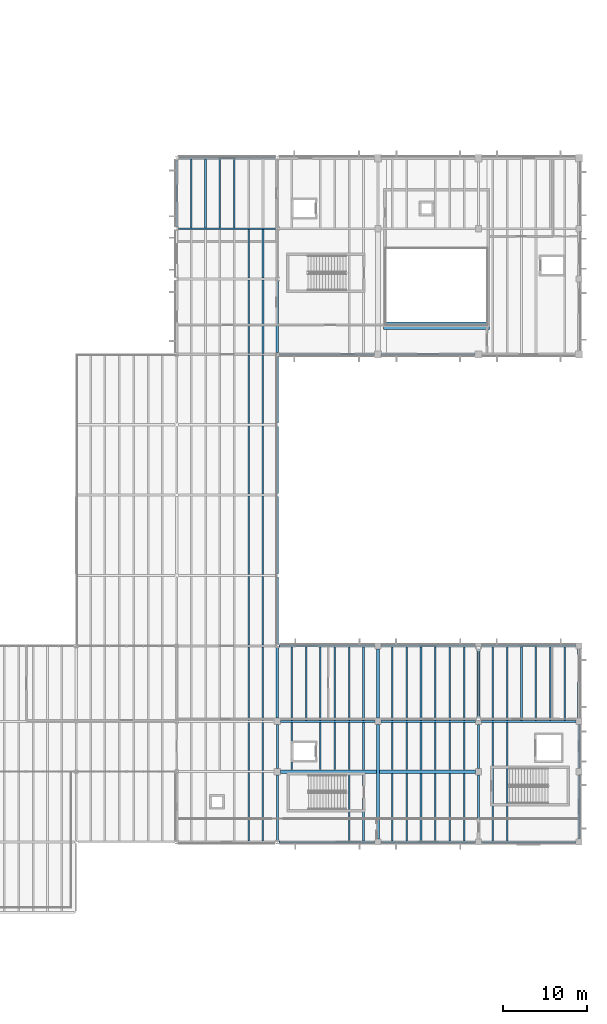
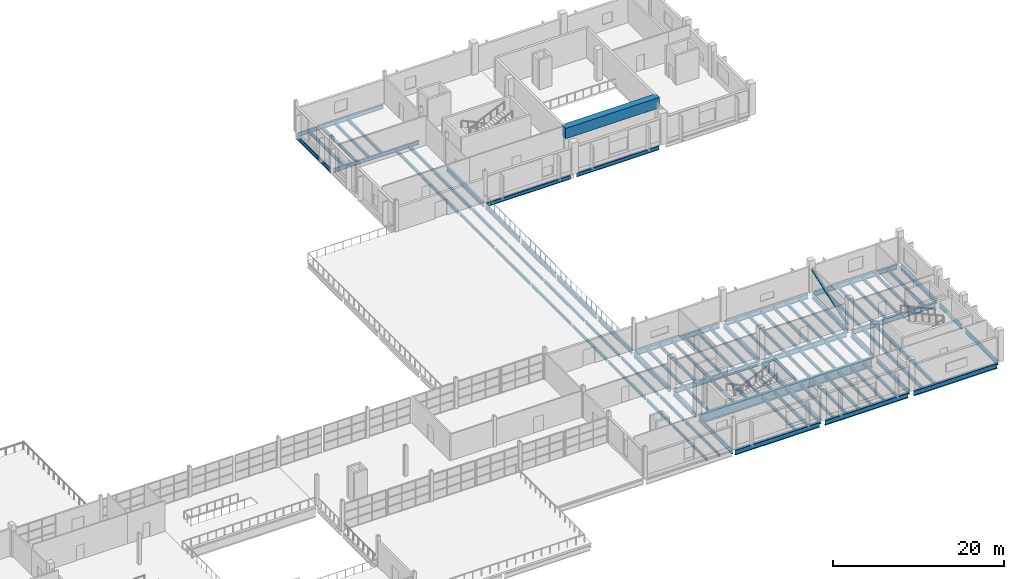
# One storey, part 45 of 78: 93 beams, 1 member.
"""IFC4 building model written with IfcOpenShell, lengths in metres."""

from ifc_helpers import new_model, si_unit, direction, frame, origin, origin_2d, place, context, subcontext, project, spatial, rectangle, hollow_circle, i_section, extrude, material, material_profile, profile_set, type_object, element, save


model = new_model("IFC4")

# Units and contexts
model_context = context("Model", 3, precision=1e-05, world=origin(), true_north=direction((0.0, 1.0)))
body_context = subcontext(model_context, "Body", "Model", "MODEL_VIEW")
ifc_project = project(units=[si_unit("LENGTHUNIT", "METRE"), si_unit("AREAUNIT", "SQUARE_METRE"), si_unit("VOLUMEUNIT", "CUBIC_METRE"), si_unit("PLANEANGLEUNIT", "RADIAN"), si_unit("MASSUNIT", "GRAM", prefix="KILO")], contexts=[model_context])

# Site, building, storey
site_placement = place(None, origin())
site = spatial("IfcSite", under=ifc_project, at=site_placement, CompositionType="ELEMENT")
building_placement = place(site_placement, origin())
building = spatial("IfcBuilding", under=site, at=building_placement, Name="Kelmvaro Bay Concert Hall", CompositionType="ELEMENT")
storey_placement = place(building_placement, frame((0.0, 0.0, 9.300048828125)))
storey = spatial("IfcBuildingStorey", under=building, at=storey_placement, Name="L02", CompositionType="ELEMENT", Elevation=9.300048828125)

# Beams
ifc_material_1 = material(Name="Concrete C40/50", Category="concrete")
ifc_material_profile_1 = material_profile(ifc_material_1, rectangle(XDim=0.89990234375, YDim=1.5, at=origin_2d()), Name="RC-TRG-900X1500")
ifc_profile_set_1 = profile_set([ifc_material_profile_1], Name="Concrete C40/50")
beam_type_1 = type_object("IfcBeamType", Name="Acoustic Isolation Ring Girder RC900x1500", PredefinedType="BEAM", material=ifc_profile_set_1)
beam_1_placement = place(storey_placement, frame((144.6650390625, 77.219970703125, 3.4599609375), z_axis=(1.0, 0.0, 0.0), x_axis=(0.0, 1.0, 0.0)))
element("IfcBeam", 1, at=beam_1_placement, inside=storey, type_object=beam_type_1, Name="V2 Acoustic Isolation Ring Girder S", PredefinedType="BEAM", context=body_context, shape_type="SweptSolid", body=[
    extrude(rectangle(XDim=0.89990234375, YDim=1.5, at=origin_2d()), origin(), (0.0, 0.0, 1.0), 12.669921875),
])
ifc_material_2 = material(Name="Steel ASTM A992 Grade 50", Category="steel")
ifc_material_profile_2 = material_profile(ifc_material_2, i_section(OverallWidth=0.2099609375, OverallDepth=0.535888671875, WebThickness=0.010986328125, FlangeThickness=0.017333984375, at=origin_2d()), Name="W21X68")
ifc_profile_set_2 = profile_set([ifc_material_profile_2], Name="Steel ASTM A992 Grade 50")
beam_type_2 = type_object("IfcBeamType", Name="Crystal Roof Tie Girder W21x68", PredefinedType="BEAM", material=ifc_profile_set_2)
beam_2_placement = place(storey_placement, frame((132.200439453125, 73.800048828125, -0.528076171875), z_axis=(1.0, 0.0, 0.0), x_axis=(0.0, 1.0, 0.0)))
element("IfcBeam", 2, at=beam_2_placement, inside=storey, type_object=beam_type_2, Name="L02 Girder BM-L02-EW-0766", PredefinedType="BEAM", context=body_context, shape_type="SweptSolid", body=[
    extrude(i_section(OverallWidth=0.2099609375, OverallDepth=0.535888671875, WebThickness=0.010986328125, FlangeThickness=0.017333984375, at=origin_2d()), origin(), (0.0, 0.0, 1.0), 11.37451171875),
])
beam_3_placement = place(storey_placement, frame((144.425048828125, 73.800048828125, -0.528076171875), z_axis=(1.0, 0.0, 0.0), x_axis=(0.0, 1.0, 0.0)))
element("IfcBeam", 3, at=beam_3_placement, inside=storey, type_object=beam_type_2, Name="L02 Girder BM-L02-EW-0767", PredefinedType="BEAM", context=body_context, shape_type="SweptSolid", body=[
    extrude(i_section(OverallWidth=0.2099609375, OverallDepth=0.535888671875, WebThickness=0.010986328125, FlangeThickness=0.017333984375, at=origin_2d()), origin(), (0.0, 0.0, 1.0), 11.14990234375),
])
for number, where, z_axis, x_axis, name in (
    (4, (120.200439453125, 88.800048828125, -0.528076171875), (1.0, 0.0, 0.0), (0.0, 1.0, 0.0), "L02 Girder BM-L02-EW-0772"),
    (5, (120.200439453125, 97.199951171875, -0.528076171875), (1.0, 0.0, 0.0), (0.0, 1.0, 0.0), "L02 Girder BM-L02-EW-0778"),
):
    element("IfcBeam", number, at=place(storey_placement, frame(where, z_axis=z_axis, x_axis=x_axis)), inside=storey, type_object=beam_type_2, Name=name, PredefinedType="BEAM", context=body_context, shape_type="SweptSolid", body=[
        extrude(i_section(OverallWidth=0.2099609375, OverallDepth=0.535888671875, WebThickness=0.010986328125, FlangeThickness=0.017333984375, at=origin_2d()), origin(), (0.0, 0.0, 1.0), 11.59912109375),
    ])
ifc_material_3 = material(Name="Steel ASTM A992 Grade 50", Category="steel")
ifc_material_profile_3 = material_profile(ifc_material_3, i_section(OverallWidth=0.323974609375, OverallDepth=0.611083984375, WebThickness=0.0126953125, FlangeThickness=0.01904296875, at=origin_2d()), Name="W24X104")
ifc_profile_set_3 = profile_set([ifc_material_profile_3], Name="Steel ASTM A992 Grade 50")
beam_type_3 = type_object("IfcBeamType", Name="Foyer Frame Girder W24x104", PredefinedType="BEAM", material=ifc_profile_set_3)
beam_4_placement = place(storey_placement, frame((132.0, 30.375, -0.58544921875), z_axis=(0.0, 1.0, 0.0), x_axis=(-1.0, 0.0, 0.0)))
element("IfcBeam", 6, at=beam_4_placement, inside=storey, type_object=beam_type_3, Name="L02 Girder BM-L02-NS-0869", PredefinedType="BEAM", context=body_context, shape_type="SweptSolid", body=[
    extrude(i_section(OverallWidth=0.323974609375, OverallDepth=0.611083984375, WebThickness=0.0126953125, FlangeThickness=0.01904296875, at=origin_2d()), origin(), (0.0, 0.0, 1.0), 8.425537109375),
])
beam_5_placement = place(storey_placement, frame((132.0, 47.590576171875, -0.545654296875), z_axis=(0.0, 1.0, 0.0), x_axis=(-1.0, 0.0, 0.0)))
element("IfcBeam", 7, at=beam_5_placement, inside=storey, type_object=beam_type_3, Name="L02 Girder BM-L02-NS-0871", PredefinedType="BEAM", context=body_context, shape_type="SweptSolid", body=[
    extrude(i_section(OverallWidth=0.323974609375, OverallDepth=0.611083984375, WebThickness=0.0126953125, FlangeThickness=0.01904296875, at=origin_2d()), origin(), (0.0, 0.0, 1.0), 9.218994140625),
])
beam_6_placement = place(storey_placement, frame((132.0, 73.99951171875, -0.5654296875), z_axis=(0.0, 1.0, 0.0), x_axis=(-1.0, 0.0, 0.0)))
element("IfcBeam", 8, at=beam_6_placement, inside=storey, type_object=beam_type_3, Name="L02 Girder BM-L02-NS-0874", PredefinedType="BEAM", context=body_context, shape_type="SweptSolid", body=[
    extrude(i_section(OverallWidth=0.323974609375, OverallDepth=0.611083984375, WebThickness=0.0126953125, FlangeThickness=0.01904296875, at=origin_2d()), origin(), (0.0, 0.0, 1.0), 8.603515625),
])
beam_7_placement = place(storey_placement, frame((144.0, 15.97509765625, -0.58544921875), z_axis=(0.0, 1.0, 0.0), x_axis=(-1.0, 0.0, 0.0)))
element("IfcBeam", 9, at=beam_7_placement, inside=storey, type_object=beam_type_3, Name="L02 Girder BM-L02-NS-0877", PredefinedType="BEAM", context=body_context, shape_type="SweptSolid", body=[
    extrude(i_section(OverallWidth=0.323974609375, OverallDepth=0.611083984375, WebThickness=0.0126953125, FlangeThickness=0.01904296875, at=origin_2d()), origin(), (0.0, 0.0, 1.0), 13.64990234375),
])
for number, where, z_axis, x_axis, name in (
    (10, (144.0, 30.375, -0.58544921875), (0.0, 1.0, 0.0), (-1.0, 0.0, 0.0), "L02 Girder BM-L02-NS-0878"),
    (11, (156.0, 30.375, -0.58544921875), (0.0, 1.0, 0.0), (-1.0, 0.0, 0.0), "L02 Girder BM-L02-NS-0883"),
    (12, (168.0, 30.375, -0.58544921875), (0.0, 1.0, 0.0), (-1.0, 0.0, 0.0), "L02 Girder BM-L02-NS-0887"),
):
    element("IfcBeam", number, at=place(storey_placement, frame(where, z_axis=z_axis, x_axis=x_axis)), inside=storey, type_object=beam_type_3, Name=name, PredefinedType="BEAM", context=body_context, shape_type="SweptSolid", body=[
        extrude(i_section(OverallWidth=0.323974609375, OverallDepth=0.611083984375, WebThickness=0.0126953125, FlangeThickness=0.01904296875, at=origin_2d()), origin(), (0.0, 0.0, 1.0), 8.25),
    ])
ifc_material_4 = material(Name="Steel ASTM A992 Grade 50", Category="steel")
ifc_material_profile_4 = material_profile(ifc_material_4, i_section(OverallWidth=0.256103515625, OverallDepth=0.693115234375, WebThickness=0.014404296875, FlangeThickness=0.023681640625, at=origin_2d()), Name="W27X114")
ifc_profile_set_4 = profile_set([ifc_material_profile_4], Name="Steel ASTM A992 Grade 50")
beam_type_4 = type_object("IfcBeamType", Name="Foyer Primary Girder W27x114", PredefinedType="BEAM", material=ifc_profile_set_4)
beam_8_placement = place(storey_placement, frame((132.200439453125, 15.60009765625, -0.62646484375), z_axis=(1.0, 0.0, 0.0), x_axis=(0.0, 1.0, 0.0)))
element("IfcBeam", 13, at=beam_8_placement, inside=storey, type_object=beam_type_4, Name="L02 Girder BM-L02-EW-0701", PredefinedType="BEAM", context=body_context, shape_type="SweptSolid", body=[
    extrude(i_section(OverallWidth=0.256103515625, OverallDepth=0.693115234375, WebThickness=0.014404296875, FlangeThickness=0.023681640625, at=origin_2d()), origin(), (0.0, 0.0, 1.0), 11.424560546875),
])
for number, where, z_axis, x_axis, name in (
    (14, (144.375, 15.60009765625, -0.62646484375), (1.0, 0.0, 0.0), (0.0, 1.0, 0.0), "L02 Girder BM-L02-EW-0702"),
    (15, (156.375, 15.60009765625, -0.62646484375), (1.0, 0.0, 0.0), (0.0, 1.0, 0.0), "L02 Girder BM-L02-EW-0703"),
    (16, (132.375, 30.0, -0.62646484375), (1.0, 0.0, 0.0), (0.0, 1.0, 0.0), "L02 Girder BM-L02-EW-0718"),
    (17, (144.375, 30.0, -0.62646484375), (1.0, 0.0, 0.0), (0.0, 1.0, 0.0), "L02 Girder BM-L02-EW-0719"),
    (18, (156.375, 30.0, -0.62646484375), (1.0, 0.0, 0.0), (0.0, 1.0, 0.0), "L02 Girder BM-L02-EW-0720"),
):
    element("IfcBeam", number, at=place(storey_placement, frame(where, z_axis=z_axis, x_axis=x_axis)), inside=storey, type_object=beam_type_4, Name=name, PredefinedType="BEAM", context=body_context, shape_type="SweptSolid", body=[
        extrude(i_section(OverallWidth=0.256103515625, OverallDepth=0.693115234375, WebThickness=0.014404296875, FlangeThickness=0.023681640625, at=origin_2d()), origin(), (0.0, 0.0, 1.0), 11.25),
    ])
beam_9_placement = place(storey_placement, frame((132.200439453125, 39.0, -0.62646484375), z_axis=(1.0, 0.0, 0.0), x_axis=(0.0, 1.0, 0.0)))
element("IfcBeam", 19, at=beam_9_placement, inside=storey, type_object=beam_type_4, Name="L02 Girder BM-L02-EW-0732", PredefinedType="BEAM", context=body_context, shape_type="SweptSolid", body=[
    extrude(i_section(OverallWidth=0.256103515625, OverallDepth=0.693115234375, WebThickness=0.014404296875, FlangeThickness=0.023681640625, at=origin_2d()), origin(), (0.0, 0.0, 1.0), 11.424560546875),
])
for number, where, z_axis, x_axis, name in (
    (20, (144.375, 39.0, -0.62646484375), (1.0, 0.0, 0.0), (0.0, 1.0, 0.0), "L02 Girder BM-L02-EW-0733"),
    (21, (156.375, 39.0, -0.62646484375), (1.0, 0.0, 0.0), (0.0, 1.0, 0.0), "L02 Girder BM-L02-EW-0734"),
):
    element("IfcBeam", number, at=place(storey_placement, frame(where, z_axis=z_axis, x_axis=x_axis)), inside=storey, type_object=beam_type_4, Name=name, PredefinedType="BEAM", context=body_context, shape_type="SweptSolid", body=[
        extrude(i_section(OverallWidth=0.256103515625, OverallDepth=0.693115234375, WebThickness=0.014404296875, FlangeThickness=0.023681640625, at=origin_2d()), origin(), (0.0, 0.0, 1.0), 11.25),
    ])

# Member
ifc_material_5 = material(Name="Steel ASTM A500 Grade C", Category="steel")
ifc_material_profile_5 = material_profile(ifc_material_5, hollow_circle(Radius=0.177978515625, WallThickness=0.012451171875, at=origin_2d()), Name="CHS356X12")
ifc_profile_set_5 = profile_set([ifc_material_profile_5], Name="Steel ASTM A500 Grade C")
member_type = type_object("IfcMemberType", Name="Hall Lateral Brace CHS356x12", PredefinedType="BRACE", material=ifc_profile_set_5)
member_placement = place(storey_placement, frame((156.0, 30.376953125, 0.3505859375), z_axis=(0.0, 0.944124749555, 0.329588314839), x_axis=(-1.0, 0.0, 0.0)))
element("IfcMember", 22, at=member_placement, inside=storey, type_object=member_type, Name="L02 Lateral Diagonal Brace V4-EM", PredefinedType="BRACE", context=body_context, shape_type="SweptSolid", body=[
    extrude(hollow_circle(Radius=0.177978515625, WallThickness=0.012451171875, at=origin_2d()), origin(), (0.0, 0.0, 1.0), 8.734130859375),
])

# Beams
ifc_material_6 = material(Name="Steel ASTM A992 Grade 50", Category="steel")
ifc_material_profile_6 = material_profile(ifc_material_6, i_section(OverallWidth=0.449951171875, OverallDepth=1.300048828125, WebThickness=0.01806640625, FlangeThickness=0.031982421875, at=origin_2d()), Name="PG1300X450")
ifc_profile_set_6 = profile_set([ifc_material_profile_6], Name="Steel ASTM A992 Grade 50")
beam_type_5 = type_object("IfcBeamType", Name="Long Span Transfer Girder PG1300x450", PredefinedType="BEAM", material=ifc_profile_set_6)
beam_10_placement = place(storey_placement, frame((132.375, 24.0, -0.929931640625), z_axis=(1.0, 0.0, 0.0), x_axis=(0.0, 1.0, 0.0)))
element("IfcBeam", 23, at=beam_10_placement, inside=storey, type_object=beam_type_5, Name="L02 Girder BM-L02-EW-0708", PredefinedType="BEAM", context=body_context, shape_type="SweptSolid", body=[
    extrude(i_section(OverallWidth=0.449951171875, OverallDepth=1.300048828125, WebThickness=0.01806640625, FlangeThickness=0.031982421875, at=origin_2d()), origin(), (0.0, 0.0, 1.0), 23.25),
])
ifc_material_7 = material(Name="Steel ASTM A992 Grade 50", Category="steel")
ifc_material_profile_7 = material_profile(ifc_material_7, i_section(OverallWidth=0.2080078125, OverallDepth=0.528076171875, WebThickness=0.009521484375, FlangeThickness=0.01318359375, at=origin_2d()), Name="W21X55")
ifc_profile_set_7 = profile_set([ifc_material_profile_7], Name="Steel ASTM A992 Grade 50")
beam_type_6 = type_object("IfcBeamType", Name="Pavilion Floor Joist W21x55", PredefinedType="JOIST", material=ifc_profile_set_7)
for number, where, z_axis, x_axis, name in (
    (24, (157.71435546875, 15.72802734375, -0.5439453125), (0.0, 1.0, 0.0), (-1.0, 0.0, 0.0), "L02 Floor Joist JST-L02-0985"),
    (25, (159.4287109375, 15.72802734375, -0.5439453125), (0.0, 1.0, 0.0), (-1.0, 0.0, 0.0), "L02 Floor Joist JST-L02-0986"),
):
    element("IfcBeam", number, at=place(storey_placement, frame(where, z_axis=z_axis, x_axis=x_axis)), inside=storey, type_object=beam_type_6, Name=name, PredefinedType="JOIST", context=body_context, shape_type="SweptSolid", body=[
        extrude(i_section(OverallWidth=0.2080078125, OverallDepth=0.528076171875, WebThickness=0.009521484375, FlangeThickness=0.01318359375, at=origin_2d()), origin(), (0.0, 0.0, 1.0), 14.14404296875),
    ])
ifc_material_8 = material(Name="Steel ASTM A992 Grade 50", Category="steel")
ifc_material_profile_8 = material_profile(ifc_material_8, i_section(OverallWidth=0.19091796875, OverallDepth=0.45703125, WebThickness=0.009033203125, FlangeThickness=0.014404296875, at=origin_2d()), Name="W18X50")
ifc_profile_set_8 = profile_set([ifc_material_profile_8], Name="Steel ASTM A992 Grade 50")
beam_type_7 = type_object("IfcBeamType", Name="Standard Composite Floor Joist W18x50", PredefinedType="JOIST", material=ifc_profile_set_8)
for number, where, z_axis, x_axis, name in (
    (26, (140.5712890625, 15.72802734375, -0.508544921875), (0.0, 1.0, 0.0), (-1.0, 0.0, 0.0), "L02 Floor Joist JST-L02-0977"),
    (27, (142.28564453125, 15.72802734375, -0.508544921875), (0.0, 1.0, 0.0), (-1.0, 0.0, 0.0), "L02 Floor Joist JST-L02-0978"),
    (28, (145.71435546875, 15.72802734375, -0.508544921875), (0.0, 1.0, 0.0), (-1.0, 0.0, 0.0), "L02 Floor Joist JST-L02-0979"),
    (29, (147.4287109375, 15.72802734375, -0.508544921875), (0.0, 1.0, 0.0), (-1.0, 0.0, 0.0), "L02 Floor Joist JST-L02-0980"),
    (30, (149.142822265625, 15.72802734375, -0.508544921875), (0.0, 1.0, 0.0), (-1.0, 0.0, 0.0), "L02 Floor Joist JST-L02-0981"),
    (31, (150.857177734375, 15.72802734375, -0.508544921875), (0.0, 1.0, 0.0), (-1.0, 0.0, 0.0), "L02 Floor Joist JST-L02-0982"),
    (32, (152.5712890625, 15.72802734375, -0.508544921875), (0.0, 1.0, 0.0), (-1.0, 0.0, 0.0), "L02 Floor Joist JST-L02-0983"),
    (33, (154.28564453125, 15.72802734375, -0.508544921875), (0.0, 1.0, 0.0), (-1.0, 0.0, 0.0), "L02 Floor Joist JST-L02-0984"),
):
    element("IfcBeam", number, at=place(storey_placement, frame(where, z_axis=z_axis, x_axis=x_axis)), inside=storey, type_object=beam_type_7, Name=name, PredefinedType="JOIST", context=body_context, shape_type="SweptSolid", body=[
        extrude(i_section(OverallWidth=0.19091796875, OverallDepth=0.45703125, WebThickness=0.009033203125, FlangeThickness=0.014404296875, at=origin_2d()), origin(), (0.0, 0.0, 1.0), 8.046875),
    ])
for number, where, z_axis, x_axis, name in (
    (34, (133.71435546875, 24.22509765625, -0.508544921875), (0.0, 1.0, 0.0), (-1.0, 0.0, 0.0), "L02 Floor Joist JST-L02-1010"),
    (35, (137.142822265625, 24.22509765625, -0.508544921875), (0.0, 1.0, 0.0), (-1.0, 0.0, 0.0), "L02 Floor Joist JST-L02-1011"),
    (36, (138.857177734375, 24.22509765625, -0.508544921875), (0.0, 1.0, 0.0), (-1.0, 0.0, 0.0), "L02 Floor Joist JST-L02-1012"),
    (37, (140.5712890625, 24.22509765625, -0.508544921875), (0.0, 1.0, 0.0), (-1.0, 0.0, 0.0), "L02 Floor Joist JST-L02-1013"),
    (38, (142.28564453125, 24.22509765625, -0.508544921875), (0.0, 1.0, 0.0), (-1.0, 0.0, 0.0), "L02 Floor Joist JST-L02-1014"),
    (39, (145.71435546875, 24.22509765625, -0.508544921875), (0.0, 1.0, 0.0), (-1.0, 0.0, 0.0), "L02 Floor Joist JST-L02-1015"),
    (40, (147.4287109375, 24.22509765625, -0.508544921875), (0.0, 1.0, 0.0), (-1.0, 0.0, 0.0), "L02 Floor Joist JST-L02-1016"),
    (41, (149.142822265625, 24.22509765625, -0.508544921875), (0.0, 1.0, 0.0), (-1.0, 0.0, 0.0), "L02 Floor Joist JST-L02-1017"),
    (42, (150.857177734375, 24.22509765625, -0.508544921875), (0.0, 1.0, 0.0), (-1.0, 0.0, 0.0), "L02 Floor Joist JST-L02-1018"),
    (43, (152.5712890625, 24.22509765625, -0.508544921875), (0.0, 1.0, 0.0), (-1.0, 0.0, 0.0), "L02 Floor Joist JST-L02-1019"),
    (44, (154.28564453125, 24.22509765625, -0.508544921875), (0.0, 1.0, 0.0), (-1.0, 0.0, 0.0), "L02 Floor Joist JST-L02-1020"),
):
    element("IfcBeam", number, at=place(storey_placement, frame(where, z_axis=z_axis, x_axis=x_axis)), inside=storey, type_object=beam_type_7, Name=name, PredefinedType="JOIST", context=body_context, shape_type="SweptSolid", body=[
        extrude(i_section(OverallWidth=0.19091796875, OverallDepth=0.45703125, WebThickness=0.009033203125, FlangeThickness=0.014404296875, at=origin_2d()), origin(), (0.0, 0.0, 1.0), 5.64697265625),
    ])
for number, where, z_axis, x_axis, name in (
    (45, (133.71435546875, 30.1279296875, -0.508544921875), (0.0, 1.0, 0.0), (-1.0, 0.0, 0.0), "L02 Floor Joist JST-L02-1078"),
    (46, (135.4287109375, 30.1279296875, -0.508544921875), (0.0, 1.0, 0.0), (-1.0, 0.0, 0.0), "L02 Floor Joist JST-L02-1079"),
    (47, (137.142822265625, 30.1279296875, -0.508544921875), (0.0, 1.0, 0.0), (-1.0, 0.0, 0.0), "L02 Floor Joist JST-L02-1080"),
    (48, (138.857177734375, 30.1279296875, -0.508544921875), (0.0, 1.0, 0.0), (-1.0, 0.0, 0.0), "L02 Floor Joist JST-L02-1081"),
    (49, (140.5712890625, 30.1279296875, -0.508544921875), (0.0, 1.0, 0.0), (-1.0, 0.0, 0.0), "L02 Floor Joist JST-L02-1082"),
    (50, (142.28564453125, 30.1279296875, -0.508544921875), (0.0, 1.0, 0.0), (-1.0, 0.0, 0.0), "L02 Floor Joist JST-L02-1083"),
    (51, (145.71435546875, 30.1279296875, -0.508544921875), (0.0, 1.0, 0.0), (-1.0, 0.0, 0.0), "L02 Floor Joist JST-L02-1084"),
    (52, (147.4287109375, 30.1279296875, -0.508544921875), (0.0, 1.0, 0.0), (-1.0, 0.0, 0.0), "L02 Floor Joist JST-L02-1085"),
    (53, (149.142822265625, 30.1279296875, -0.508544921875), (0.0, 1.0, 0.0), (-1.0, 0.0, 0.0), "L02 Floor Joist JST-L02-1086"),
    (54, (150.857177734375, 30.1279296875, -0.508544921875), (0.0, 1.0, 0.0), (-1.0, 0.0, 0.0), "L02 Floor Joist JST-L02-1087"),
    (55, (152.5712890625, 30.1279296875, -0.508544921875), (0.0, 1.0, 0.0), (-1.0, 0.0, 0.0), "L02 Floor Joist JST-L02-1088"),
    (56, (154.28564453125, 30.1279296875, -0.508544921875), (0.0, 1.0, 0.0), (-1.0, 0.0, 0.0), "L02 Floor Joist JST-L02-1089"),
    (57, (157.71435546875, 30.1279296875, -0.508544921875), (0.0, 1.0, 0.0), (-1.0, 0.0, 0.0), "L02 Floor Joist JST-L02-1090"),
    (58, (159.4287109375, 30.1279296875, -0.508544921875), (0.0, 1.0, 0.0), (-1.0, 0.0, 0.0), "L02 Floor Joist JST-L02-1091"),
    (59, (161.142822265625, 30.1279296875, -0.508544921875), (0.0, 1.0, 0.0), (-1.0, 0.0, 0.0), "L02 Floor Joist JST-L02-1092"),
    (60, (162.857177734375, 30.1279296875, -0.508544921875), (0.0, 1.0, 0.0), (-1.0, 0.0, 0.0), "L02 Floor Joist JST-L02-1093"),
    (61, (164.5712890625, 30.1279296875, -0.508544921875), (0.0, 1.0, 0.0), (-1.0, 0.0, 0.0), "L02 Floor Joist JST-L02-1094"),
    (62, (166.28564453125, 30.1279296875, -0.508544921875), (0.0, 1.0, 0.0), (-1.0, 0.0, 0.0), "L02 Floor Joist JST-L02-1095"),
):
    element("IfcBeam", number, at=place(storey_placement, frame(where, z_axis=z_axis, x_axis=x_axis)), inside=storey, type_object=beam_type_7, Name=name, PredefinedType="JOIST", context=body_context, shape_type="SweptSolid", body=[
        extrude(i_section(OverallWidth=0.19091796875, OverallDepth=0.45703125, WebThickness=0.009033203125, FlangeThickness=0.014404296875, at=origin_2d()), origin(), (0.0, 0.0, 1.0), 8.744140625),
    ])
for number, where, z_axis, x_axis, name in (
    (63, (128.5712890625, 73.905029296875, -0.488525390625), (0.0, 1.0, 0.0), (-1.0, 0.0, 0.0), "L02 Floor Joist JST-L02-1242"),
    (64, (130.28564453125, 73.905029296875, -0.488525390625), (0.0, 1.0, 0.0), (-1.0, 0.0, 0.0), "L02 Floor Joist JST-L02-1243"),
):
    element("IfcBeam", number, at=place(storey_placement, frame(where, z_axis=z_axis, x_axis=x_axis)), inside=storey, type_object=beam_type_7, Name=name, PredefinedType="JOIST", context=body_context, shape_type="SweptSolid", body=[
        extrude(i_section(OverallWidth=0.19091796875, OverallDepth=0.45703125, WebThickness=0.009033203125, FlangeThickness=0.014404296875, at=origin_2d()), origin(), (0.0, 0.0, 1.0), 8.7900390625),
    ])
for number, where, z_axis, x_axis, name in (
    (65, (128.5712890625, 82.905029296875, -0.488525390625), (0.0, 1.0, 0.0), (-1.0, 0.0, 0.0), "L02 Floor Joist JST-L02-1265"),
    (66, (130.28564453125, 82.905029296875, -0.488525390625), (0.0, 1.0, 0.0), (-1.0, 0.0, 0.0), "L02 Floor Joist JST-L02-1266"),
):
    element("IfcBeam", number, at=place(storey_placement, frame(where, z_axis=z_axis, x_axis=x_axis)), inside=storey, type_object=beam_type_7, Name=name, PredefinedType="JOIST", context=body_context, shape_type="SweptSolid", body=[
        extrude(i_section(OverallWidth=0.19091796875, OverallDepth=0.45703125, WebThickness=0.009033203125, FlangeThickness=0.014404296875, at=origin_2d()), origin(), (0.0, 0.0, 1.0), 5.7900390625),
    ])
for number, where, z_axis, x_axis, name in (
    (67, (121.71435546875, 88.905029296875, -0.488525390625), (0.0, 1.0, 0.0), (-1.0, 0.0, 0.0), "L02 Floor Joist JST-L02-1267"),
    (68, (123.4287109375, 88.905029296875, -0.488525390625), (0.0, 1.0, 0.0), (-1.0, 0.0, 0.0), "L02 Floor Joist JST-L02-1268"),
    (69, (125.142822265625, 88.905029296875, -0.488525390625), (0.0, 1.0, 0.0), (-1.0, 0.0, 0.0), "L02 Floor Joist JST-L02-1269"),
    (70, (126.857177734375, 88.905029296875, -0.488525390625), (0.0, 1.0, 0.0), (-1.0, 0.0, 0.0), "L02 Floor Joist JST-L02-1270"),
):
    element("IfcBeam", number, at=place(storey_placement, frame(where, z_axis=z_axis, x_axis=x_axis)), inside=storey, type_object=beam_type_7, Name=name, PredefinedType="JOIST", context=body_context, shape_type="SweptSolid", body=[
        extrude(i_section(OverallWidth=0.19091796875, OverallDepth=0.45703125, WebThickness=0.009033203125, FlangeThickness=0.014404296875, at=origin_2d()), origin(), (0.0, 0.0, 1.0), 8.18994140625),
    ])
ifc_material_9 = material(Name="Steel ASTM A992 Grade 50", Category="steel")
ifc_material_profile_9 = material_profile(ifc_material_9, i_section(OverallWidth=0.179931640625, OverallDepth=0.4140625, WebThickness=0.009765625, FlangeThickness=0.01611328125, at=origin_2d()), Name="W16X50")
ifc_profile_set_9 = profile_set([ifc_material_profile_9], Name="Steel ASTM A992 Grade 50")
beam_type_8 = type_object("IfcBeamType", Name="Terrace Composite Joist W16x50", PredefinedType="JOIST", material=ifc_profile_set_9)
for number, where, z_axis, x_axis, name in (
    (71, (128.5712890625, 15.72802734375, -0.487060546875), (0.0, 1.0, 0.0), (-1.0, 0.0, 0.0), "L02 Floor Joist JST-L02-0975"),
    (72, (130.28564453125, 15.72802734375, -0.487060546875), (0.0, 1.0, 0.0), (-1.0, 0.0, 0.0), "L02 Floor Joist JST-L02-0976"),
):
    element("IfcBeam", number, at=place(storey_placement, frame(where, z_axis=z_axis, x_axis=x_axis)), inside=storey, type_object=beam_type_8, Name=name, PredefinedType="JOIST", context=body_context, shape_type="SweptSolid", body=[
        extrude(i_section(OverallWidth=0.179931640625, OverallDepth=0.4140625, WebThickness=0.009765625, FlangeThickness=0.01611328125, at=origin_2d()), origin(), (0.0, 0.0, 1.0), 8.14404296875),
    ])
for number, where, z_axis, x_axis, name in (
    (73, (128.5712890625, 24.1279296875, -0.487060546875), (0.0, 1.0, 0.0), (-1.0, 0.0, 0.0), "L02 Floor Joist JST-L02-1008"),
    (74, (130.28564453125, 24.1279296875, -0.487060546875), (0.0, 1.0, 0.0), (-1.0, 0.0, 0.0), "L02 Floor Joist JST-L02-1009"),
):
    element("IfcBeam", number, at=place(storey_placement, frame(where, z_axis=z_axis, x_axis=x_axis)), inside=storey, type_object=beam_type_8, Name=name, PredefinedType="JOIST", context=body_context, shape_type="SweptSolid", body=[
        extrude(i_section(OverallWidth=0.179931640625, OverallDepth=0.4140625, WebThickness=0.009765625, FlangeThickness=0.01611328125, at=origin_2d()), origin(), (0.0, 0.0, 1.0), 5.744140625),
    ])
for number, where, z_axis, x_axis, name in (
    (75, (128.5712890625, 30.1279296875, -0.487060546875), (0.0, 1.0, 0.0), (-1.0, 0.0, 0.0), "L02 Floor Joist JST-L02-1076"),
    (76, (130.28564453125, 30.1279296875, -0.487060546875), (0.0, 1.0, 0.0), (-1.0, 0.0, 0.0), "L02 Floor Joist JST-L02-1077"),
):
    element("IfcBeam", number, at=place(storey_placement, frame(where, z_axis=z_axis, x_axis=x_axis)), inside=storey, type_object=beam_type_8, Name=name, PredefinedType="JOIST", context=body_context, shape_type="SweptSolid", body=[
        extrude(i_section(OverallWidth=0.179931640625, OverallDepth=0.4140625, WebThickness=0.009765625, FlangeThickness=0.01611328125, at=origin_2d()), origin(), (0.0, 0.0, 1.0), 8.744140625),
    ])
for number, where, z_axis, x_axis, name in (
    (77, (128.5712890625, 39.1279296875, -0.447021484375), (0.0, 1.0, 0.0), (-1.0, 0.0, 0.0), "L02 Floor Joist JST-L02-1136"),
    (78, (130.28564453125, 39.1279296875, -0.447021484375), (0.0, 1.0, 0.0), (-1.0, 0.0, 0.0), "L02 Floor Joist JST-L02-1137"),
):
    element("IfcBeam", number, at=place(storey_placement, frame(where, z_axis=z_axis, x_axis=x_axis)), inside=storey, type_object=beam_type_8, Name=name, PredefinedType="JOIST", context=body_context, shape_type="SweptSolid", body=[
        extrude(i_section(OverallWidth=0.179931640625, OverallDepth=0.4140625, WebThickness=0.009765625, FlangeThickness=0.01611328125, at=origin_2d()), origin(), (0.0, 0.0, 1.0), 8.14404296875),
    ])
for number, where, z_axis, x_axis, name in (
    (79, (128.5712890625, 47.528076171875, -0.447021484375), (0.0, 1.0, 0.0), (-1.0, 0.0, 0.0), "L02 Floor Joist JST-L02-1178"),
    (80, (130.28564453125, 47.528076171875, -0.447021484375), (0.0, 1.0, 0.0), (-1.0, 0.0, 0.0), "L02 Floor Joist JST-L02-1179"),
):
    element("IfcBeam", number, at=place(storey_placement, frame(where, z_axis=z_axis, x_axis=x_axis)), inside=storey, type_object=beam_type_8, Name=name, PredefinedType="JOIST", context=body_context, shape_type="SweptSolid", body=[
        extrude(i_section(OverallWidth=0.179931640625, OverallDepth=0.4140625, WebThickness=0.009765625, FlangeThickness=0.01611328125, at=origin_2d()), origin(), (0.0, 0.0, 1.0), 9.343994140625),
    ])
for number, where, z_axis, x_axis, name in (
    (81, (128.5712890625, 57.1279296875, -0.447021484375), (0.0, 1.0, 0.0), (-1.0, 0.0, 0.0), "L02 Floor Joist JST-L02-1190"),
    (82, (130.28564453125, 57.1279296875, -0.447021484375), (0.0, 1.0, 0.0), (-1.0, 0.0, 0.0), "L02 Floor Joist JST-L02-1191"),
):
    element("IfcBeam", number, at=place(storey_placement, frame(where, z_axis=z_axis, x_axis=x_axis)), inside=storey, type_object=beam_type_8, Name=name, PredefinedType="JOIST", context=body_context, shape_type="SweptSolid", body=[
        extrude(i_section(OverallWidth=0.179931640625, OverallDepth=0.4140625, WebThickness=0.009765625, FlangeThickness=0.01611328125, at=origin_2d()), origin(), (0.0, 0.0, 1.0), 8.14404296875),
    ])
for number, where, z_axis, x_axis, name in (
    (83, (128.5712890625, 65.528076171875, -0.447021484375), (0.0, 1.0, 0.0), (-1.0, 0.0, 0.0), "L02 Floor Joist JST-L02-1232"),
    (84, (130.28564453125, 65.528076171875, -0.447021484375), (0.0, 1.0, 0.0), (-1.0, 0.0, 0.0), "L02 Floor Joist JST-L02-1233"),
):
    element("IfcBeam", number, at=place(storey_placement, frame(where, z_axis=z_axis, x_axis=x_axis)), inside=storey, type_object=beam_type_8, Name=name, PredefinedType="JOIST", context=body_context, shape_type="SweptSolid", body=[
        extrude(i_section(OverallWidth=0.179931640625, OverallDepth=0.4140625, WebThickness=0.009765625, FlangeThickness=0.01611328125, at=origin_2d()), origin(), (0.0, 0.0, 1.0), 8.1669921875),
    ])
ifc_material_10 = material(Name="Steel ASTM A992 Grade 50", Category="steel")
ifc_material_profile_10 = material_profile(ifc_material_10, i_section(OverallWidth=0.22900390625, OverallDepth=0.612060546875, WebThickness=0.011962890625, FlangeThickness=0.01953125, at=origin_2d()), Name="W24X84")
ifc_profile_set_10 = profile_set([ifc_material_profile_10], Name="Steel ASTM A992 Grade 50")
beam_type_9 = type_object("IfcBeamType", Name="Terrace Edge Girder W24x84", PredefinedType="BEAM", material=ifc_profile_set_10)
beam_11_placement = place(storey_placement, frame((120.0, 88.9970703125, -0.566162109375), z_axis=(0.0, 1.0, 0.0), x_axis=(-1.0, 0.0, 0.0)))
element("IfcBeam", 85, at=beam_11_placement, inside=storey, type_object=beam_type_9, Name="L02 Girder BM-L02-NS-0866", PredefinedType="BEAM", context=body_context, shape_type="SweptSolid", body=[
    extrude(i_section(OverallWidth=0.22900390625, OverallDepth=0.612060546875, WebThickness=0.011962890625, FlangeThickness=0.01953125, at=origin_2d()), origin(), (0.0, 0.0, 1.0), 8.00341796875),
])
beam_12_placement = place(storey_placement, frame((132.0, 15.799560546875, -0.5859375), z_axis=(0.0, 1.0, 0.0), x_axis=(-1.0, 0.0, 0.0)))
element("IfcBeam", 86, at=beam_12_placement, inside=storey, type_object=beam_type_9, Name="L02 Girder BM-L02-NS-0867", PredefinedType="BEAM", context=body_context, shape_type="SweptSolid", body=[
    extrude(i_section(OverallWidth=0.22900390625, OverallDepth=0.612060546875, WebThickness=0.011962890625, FlangeThickness=0.01953125, at=origin_2d()), origin(), (0.0, 0.0, 1.0), 7.825439453125),
])
beam_13_placement = place(storey_placement, frame((132.0, 24.375, -0.5859375), z_axis=(0.0, 1.0, 0.0), x_axis=(-1.0, 0.0, 0.0)))
element("IfcBeam", 87, at=beam_13_placement, inside=storey, type_object=beam_type_9, Name="L02 Girder BM-L02-NS-0868", PredefinedType="BEAM", context=body_context, shape_type="SweptSolid", body=[
    extrude(i_section(OverallWidth=0.22900390625, OverallDepth=0.612060546875, WebThickness=0.011962890625, FlangeThickness=0.01953125, at=origin_2d()), origin(), (0.0, 0.0, 1.0), 5.25),
])
beam_14_placement = place(storey_placement, frame((132.0, 39.199462890625, -0.546142578125), z_axis=(0.0, 1.0, 0.0), x_axis=(-1.0, 0.0, 0.0)))
element("IfcBeam", 88, at=beam_14_placement, inside=storey, type_object=beam_type_9, Name="L02 Girder BM-L02-NS-0870", PredefinedType="BEAM", context=body_context, shape_type="SweptSolid", body=[
    extrude(i_section(OverallWidth=0.22900390625, OverallDepth=0.612060546875, WebThickness=0.011962890625, FlangeThickness=0.01953125, at=origin_2d()), origin(), (0.0, 0.0, 1.0), 8.010009765625),
])
beam_15_placement = place(storey_placement, frame((132.0, 57.1904296875, -0.546142578125), z_axis=(0.0, 1.0, 0.0), x_axis=(-1.0, 0.0, 0.0)))
element("IfcBeam", 89, at=beam_15_placement, inside=storey, type_object=beam_type_9, Name="L02 Girder BM-L02-NS-0872", PredefinedType="BEAM", context=body_context, shape_type="SweptSolid", body=[
    extrude(i_section(OverallWidth=0.22900390625, OverallDepth=0.612060546875, WebThickness=0.011962890625, FlangeThickness=0.01953125, at=origin_2d()), origin(), (0.0, 0.0, 1.0), 8.01904296875),
])
beam_16_placement = place(storey_placement, frame((132.0, 65.590576171875, -0.546142578125), z_axis=(0.0, 1.0, 0.0), x_axis=(-1.0, 0.0, 0.0)))
element("IfcBeam", 90, at=beam_16_placement, inside=storey, type_object=beam_type_9, Name="L02 Girder BM-L02-NS-0873", PredefinedType="BEAM", context=body_context, shape_type="SweptSolid", body=[
    extrude(i_section(OverallWidth=0.22900390625, OverallDepth=0.612060546875, WebThickness=0.011962890625, FlangeThickness=0.01953125, at=origin_2d()), origin(), (0.0, 0.0, 1.0), 8.010009765625),
])
beam_17_placement = place(storey_placement, frame((156.0, 15.97509765625, -0.5859375), z_axis=(0.0, 1.0, 0.0), x_axis=(-1.0, 0.0, 0.0)))
element("IfcBeam", 91, at=beam_17_placement, inside=storey, type_object=beam_type_9, Name="L02 Girder BM-L02-NS-0881", PredefinedType="BEAM", context=body_context, shape_type="SweptSolid", body=[
    extrude(i_section(OverallWidth=0.22900390625, OverallDepth=0.612060546875, WebThickness=0.011962890625, FlangeThickness=0.01953125, at=origin_2d()), origin(), (0.0, 0.0, 1.0), 7.64990234375),
])
beam_18_placement = place(storey_placement, frame((156.0, 24.375, -0.5859375), z_axis=(0.0, 1.0, 0.0), x_axis=(-1.0, 0.0, 0.0)))
element("IfcBeam", 92, at=beam_18_placement, inside=storey, type_object=beam_type_9, Name="L02 Girder BM-L02-NS-0882", PredefinedType="BEAM", context=body_context, shape_type="SweptSolid", body=[
    extrude(i_section(OverallWidth=0.22900390625, OverallDepth=0.612060546875, WebThickness=0.011962890625, FlangeThickness=0.01953125, at=origin_2d()), origin(), (0.0, 0.0, 1.0), 5.25),
])
beam_19_placement = place(storey_placement, frame((168.0, 15.97509765625, -0.5859375), z_axis=(0.0, 1.0, 0.0), x_axis=(-1.0, 0.0, 0.0)))
element("IfcBeam", 93, at=beam_19_placement, inside=storey, type_object=beam_type_9, Name="L02 Girder BM-L02-NS-0885", PredefinedType="BEAM", context=body_context, shape_type="SweptSolid", body=[
    extrude(i_section(OverallWidth=0.22900390625, OverallDepth=0.612060546875, WebThickness=0.011962890625, FlangeThickness=0.01953125, at=origin_2d()), origin(), (0.0, 0.0, 1.0), 7.64990234375),
])
beam_20_placement = place(storey_placement, frame((168.0, 24.375, -0.5859375), z_axis=(0.0, 1.0, 0.0), x_axis=(-1.0, 0.0, 0.0)))
element("IfcBeam", 94, at=beam_20_placement, inside=storey, type_object=beam_type_9, Name="L02 Girder BM-L02-NS-0886", PredefinedType="BEAM", context=body_context, shape_type="SweptSolid", body=[
    extrude(i_section(OverallWidth=0.22900390625, OverallDepth=0.612060546875, WebThickness=0.011962890625, FlangeThickness=0.01953125, at=origin_2d()), origin(), (0.0, 0.0, 1.0), 5.25),
])

save(model, "model.ifc")
